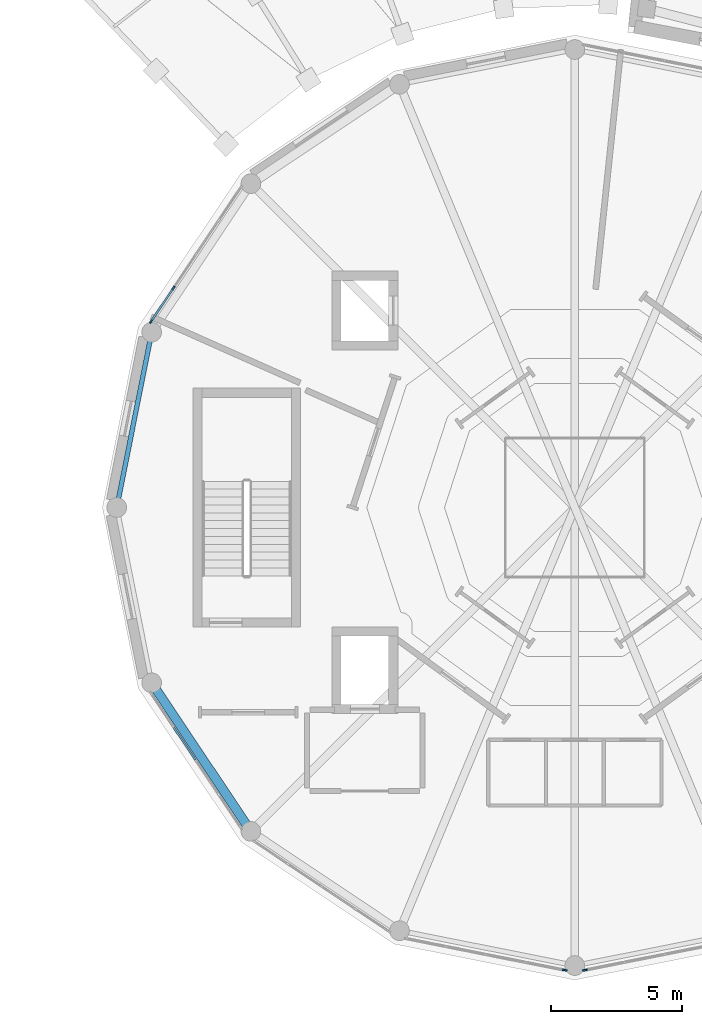
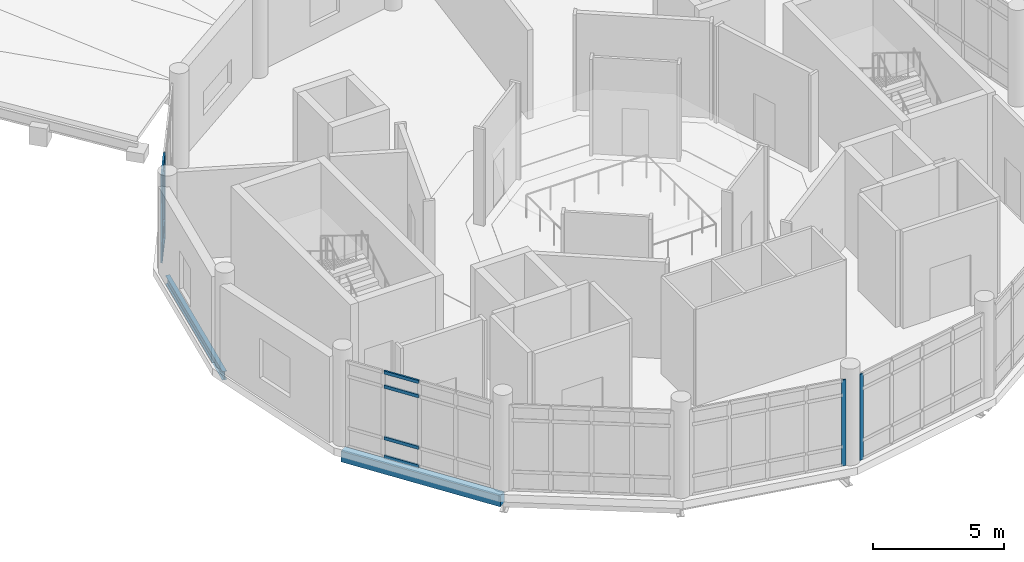
# One storey, part 6 of 27: 12 members, 2 beams, 4 elements without a shape of their own.
"""IFC4 building model written with IfcOpenShell, lengths in metres."""

from ifc_helpers import new_model, si_unit, direction, frame, origin, origin_2d, place, context, subcontext, project, spatial, rectangle, i_section, extrude, material, material_profile, profile_set, type_object, element, aggregate, save


model = new_model("IFC4")

# Units and contexts
model_context = context("Model", 3, precision=1e-05, world=origin(), true_north=direction((0.0, 1.0)))
body_context = subcontext(model_context, "Body", "Model", "MODEL_VIEW")
ifc_project = project(units=[si_unit("LENGTHUNIT", "METRE"), si_unit("AREAUNIT", "SQUARE_METRE"), si_unit("VOLUMEUNIT", "CUBIC_METRE"), si_unit("PLANEANGLEUNIT", "RADIAN"), si_unit("MASSUNIT", "GRAM", prefix="KILO")], contexts=[model_context])

# Site, building, storey
site_placement = place(None, origin())
site = spatial("IfcSite", under=ifc_project, at=site_placement, CompositionType="ELEMENT")
building_placement = place(site_placement, origin())
building = spatial("IfcBuilding", under=site, at=building_placement, Name="Soyqirgoq Riverine Aquarium", CompositionType="ELEMENT")
storey_placement = place(building_placement, frame((0.0, 0.0, 19.800048828125)))
storey = spatial("IfcBuildingStorey", under=building, at=storey_placement, Name="L05", CompositionType="ELEMENT", Elevation=19.800048828125)

# Curtain wall, members
ifc_material_1 = material(Name="Anodised aluminium thermally broken triple low-E glazing", Category="aluminium")
curtain_wall_type = type_object("IfcCurtainWallType", Name="CW_DrumGallery_Unitised", PredefinedType="NOTDEFINED", material=ifc_material_1)
curtain_wall_1_placement = place(storey_placement, origin())
curtain_wall_1 = element("IfcCurtainWall", 1, at=curtain_wall_1_placement, inside=storey, type_object=curtain_wall_type, Name="V1 L05 Curtain Wall 027", PredefinedType="NOTDEFINED")
ifc_material_2 = material(Name="Anodised aluminium 6063-T6", Category="aluminium")
ifc_material_profile_1 = material_profile(ifc_material_2, rectangle(XDim=0.06494140625, YDim=0.179931640625, at=origin_2d()), Name="ALU-M 65x180")
ifc_profile_set_1 = profile_set([ifc_material_profile_1], Name="Anodised aluminium 6063-T6")
member_type_1 = type_object("IfcMemberType", Name="CWMullion_65x180", PredefinedType="MULLION", material=ifc_profile_set_1)
member_1_placement = place(storey_placement, frame((40.7060546875, 65.35791015625, 0.0), z_axis=(0.0, 0.0, 1.0), x_axis=(0.831475717779, -0.55556109542, 0.0)))
member_1 = element("IfcMember", 2, at=member_1_placement, type_object=member_type_1, Name="CW-01 mullion 4", PredefinedType="MULLION", context=body_context, shape_type="SweptSolid", body=[
    extrude(rectangle(XDim=0.06494140625, YDim=0.179931640625, at=origin_2d()), origin(), (0.0, 0.0, 1.0), 4.0),
])
member_2_placement = place(storey_placement, frame((39.8642578125, 64.09814453125, 0.0), z_axis=(0.0, 0.0, 1.0), x_axis=(0.831475717779, -0.55556109542, 0.0)))
member_2 = element("IfcMember", 3, at=member_2_placement, type_object=member_type_1, Name="CW-01 mullion 5", PredefinedType="MULLION", context=body_context, shape_type="SweptSolid", body=[
    extrude(rectangle(XDim=0.06494140625, YDim=0.179931640625, at=origin_2d()), origin(), (0.0, 0.0, 1.0), 4.0),
])

# Curtain wall, member
curtain_wall_2_placement = place(storey_placement, origin())
curtain_wall_2 = element("IfcCurtainWall", 4, at=curtain_wall_2_placement, inside=storey, type_object=curtain_wall_type, Name="V1 L05 Curtain Wall 052", PredefinedType="NOTDEFINED")
member_3_placement = place(storey_placement, frame((55.616943359375, 39.376220703125, 0.0), z_axis=(0.0, 0.0, 1.0), x_axis=(0.19507834152, 0.980787663396, 0.0)))
member_3 = element("IfcMember", 5, at=member_3_placement, type_object=member_type_1, Name="CW-01 mullion 5", PredefinedType="MULLION", context=body_context, shape_type="SweptSolid", body=[
    extrude(rectangle(XDim=0.06494140625, YDim=0.179931640625, at=origin_2d()), origin(), (0.0, 0.0, 1.0), 4.0),
])
aggregate(curtain_wall_2, [member_3])

curtain_wall_3_placement = place(storey_placement, origin())
curtain_wall_3 = element("IfcCurtainWall", 6, at=curtain_wall_3_placement, inside=storey, type_object=curtain_wall_type, Name="V1 L05 Curtain Wall 059", PredefinedType="NOTDEFINED")
member_4_placement = place(storey_placement, frame((56.383056640625, 39.376220703125, 0.0), z_axis=(0.0, 0.0, 1.0), x_axis=(-0.19507834152, 0.980787663396, 0.0)))
member_4 = element("IfcMember", 7, at=member_4_placement, type_object=member_type_1, Name="CW-01 mullion 1", PredefinedType="MULLION", context=body_context, shape_type="SweptSolid", body=[
    extrude(rectangle(XDim=0.06494140625, YDim=0.179931640625, at=origin_2d()), origin(), (0.0, 0.0, 1.0), 4.0),
])
aggregate(curtain_wall_3, [member_4])

# Member
ifc_material_3 = material(Name="Anodised aluminium 6063-T6", Category="aluminium")
ifc_material_profile_2 = material_profile(ifc_material_3, rectangle(XDim=0.074951171875, YDim=0.14990234375, at=origin_2d()), Name="ALU-T 75x150")
ifc_profile_set_2 = profile_set([ifc_material_profile_2], Name="Anodised aluminium 6063-T6")
member_type_2 = type_object("IfcMemberType", Name="CWTransom_75x150", PredefinedType="USERDEFINED", material=ifc_profile_set_2)
member_5_placement = place(storey_placement, frame((40.68798828125, 65.330810546875, 0.037353515625), z_axis=(-0.555632377709, -0.831428085189, 0.0), x_axis=(0.831428085189, -0.555632377709, 0.0)))
member_5 = element("IfcMember", 8, at=member_5_placement, type_object=member_type_2, Name="CW-01 transom 4.1", ObjectType="TRANSOM", PredefinedType="USERDEFINED", context=body_context, shape_type="SweptSolid", body=[
    extrude(rectangle(XDim=0.074951171875, YDim=0.14990234375, at=origin_2d()), origin(), (0.0, 0.0, 1.0), 1.449951171875),
])

member_6_placement = place(storey_placement, frame((40.68798828125, 65.330810546875, 0.89990234375), z_axis=(-0.555632377709, -0.831428085189, 0.0), x_axis=(0.831428085189, -0.555632377709, 0.0)))
member_6 = element("IfcMember", 9, at=member_6_placement, type_object=member_type_2, Name="CW-01 transom 4.2", ObjectType="TRANSOM", PredefinedType="USERDEFINED", context=body_context, shape_type="SweptSolid", body=[
    extrude(rectangle(XDim=0.074951171875, YDim=0.14990234375, at=origin_2d()), origin(), (0.0, 0.0, 1.0), 1.449951171875),
])

member_7_placement = place(storey_placement, frame((40.68798828125, 65.330810546875, 3.300048828125), z_axis=(-0.555632377709, -0.831428085189, 0.0), x_axis=(0.831428085189, -0.555632377709, 0.0)))
member_7 = element("IfcMember", 10, at=member_7_placement, type_object=member_type_2, Name="CW-01 transom 4.3", ObjectType="TRANSOM", PredefinedType="USERDEFINED", context=body_context, shape_type="SweptSolid", body=[
    extrude(rectangle(XDim=0.074951171875, YDim=0.14990234375, at=origin_2d()), origin(), (0.0, 0.0, 1.0), 1.449951171875),
])

member_8_placement = place(storey_placement, frame((40.68798828125, 65.330810546875, 3.96240234375), z_axis=(-0.555632377709, -0.831428085189, 0.0), x_axis=(0.831428085189, -0.555632377709, 0.0)))
member_8 = element("IfcMember", 11, at=member_8_placement, type_object=member_type_2, Name="CW-01 transom 4.4", ObjectType="TRANSOM", PredefinedType="USERDEFINED", context=body_context, shape_type="SweptSolid", body=[
    extrude(rectangle(XDim=0.074951171875, YDim=0.14990234375, at=origin_2d()), origin(), (0.0, 0.0, 1.0), 1.449951171875),
])

aggregate(curtain_wall_1, [member_1, member_2, member_5, member_6, member_7, member_8])

# Curtain wall, members
curtain_wall_4_placement = place(storey_placement, origin())
curtain_wall_4 = element("IfcCurtainWall", 12, at=curtain_wall_4_placement, inside=storey, type_object=curtain_wall_type, Name="V1 L05 Curtain Wall 038", PredefinedType="NOTDEFINED")
member_9_placement = place(storey_placement, frame((40.72412109375, 48.614990234375, 0.037353515625), z_axis=(0.555498052223, -0.831517837437, 0.0), x_axis=(0.831517837437, 0.555498052223, 0.0)))
member_9 = element("IfcMember", 13, at=member_9_placement, type_object=member_type_2, Name="CW-01 transom 2.1", ObjectType="TRANSOM", PredefinedType="USERDEFINED", context=body_context, shape_type="SweptSolid", body=[
    extrude(rectangle(XDim=0.074951171875, YDim=0.14990234375, at=origin_2d()), origin(), (0.0, 0.0, 1.0), 1.482421875),
])
member_10_placement = place(storey_placement, frame((40.72412109375, 48.614990234375, 0.89990234375), z_axis=(0.555498052223, -0.831517837437, 0.0), x_axis=(0.831517837437, 0.555498052223, 0.0)))
member_10 = element("IfcMember", 14, at=member_10_placement, type_object=member_type_2, Name="CW-01 transom 2.2", ObjectType="TRANSOM", PredefinedType="USERDEFINED", context=body_context, shape_type="SweptSolid", body=[
    extrude(rectangle(XDim=0.074951171875, YDim=0.14990234375, at=origin_2d()), origin(), (0.0, 0.0, 1.0), 1.482421875),
])
member_11_placement = place(storey_placement, frame((40.72412109375, 48.614990234375, 3.300048828125), z_axis=(0.555498052223, -0.831517837437, 0.0), x_axis=(0.831517837437, 0.555498052223, 0.0)))
member_11 = element("IfcMember", 15, at=member_11_placement, type_object=member_type_2, Name="CW-01 transom 2.3", ObjectType="TRANSOM", PredefinedType="USERDEFINED", context=body_context, shape_type="SweptSolid", body=[
    extrude(rectangle(XDim=0.074951171875, YDim=0.14990234375, at=origin_2d()), origin(), (0.0, 0.0, 1.0), 1.482421875),
])
member_12_placement = place(storey_placement, frame((40.72412109375, 48.614990234375, 3.96240234375), z_axis=(0.555498052223, -0.831517837437, 0.0), x_axis=(0.831517837437, 0.555498052223, 0.0)))
member_12 = element("IfcMember", 16, at=member_12_placement, type_object=member_type_2, Name="CW-01 transom 2.4", ObjectType="TRANSOM", PredefinedType="USERDEFINED", context=body_context, shape_type="SweptSolid", body=[
    extrude(rectangle(XDim=0.074951171875, YDim=0.14990234375, at=origin_2d()), origin(), (0.0, 0.0, 1.0), 1.482421875),
])
aggregate(curtain_wall_4, [member_9, member_10, member_11, member_12])

# Beams
ifc_material_4 = material(Name="Concrete C40/50", Category="concrete")
ifc_material_profile_3 = material_profile(ifc_material_4, rectangle(XDim=0.35009765625, YDim=0.5, at=origin_2d()), Name="RC 350x500")
ifc_profile_set_3 = profile_set([ifc_material_profile_3], Name="Concrete C40/50")
beam_type_1 = type_object("IfcBeamType", Name="Spandrel_RC_350x500", PredefinedType="SPANDREL", material=ifc_profile_set_3)
beam_1_placement = place(storey_placement, frame((39.889404296875, 50.3056640625, -0.60009765625), z_axis=(0.555557213186, -0.83147831173, 0.0), x_axis=(0.83147831173, 0.555557213186, 0.0)))
element("IfcBeam", 17, at=beam_1_placement, inside=storey, type_object=beam_type_1, Name="V1 L05 Drum Spandrel Beam 0131", PredefinedType="SPANDREL", context=body_context, shape_type="SweptSolid", body=[
    extrude(rectangle(XDim=0.35009765625, YDim=0.5, at=origin_2d()), origin(), (0.0, 0.0, 1.0), 6.768798828125),
])
ifc_material_5 = material(Name="Structural steel S355", Category="steel")
ifc_material_profile_4 = material_profile(ifc_material_5, i_section(OverallWidth=0.179931640625, OverallDepth=0.39990234375, WebThickness=0.008544921875, FlangeThickness=0.013427734375, FilletRadius=0.02099609375, at=origin_2d()), Name="IPE 400")
ifc_profile_set_4 = profile_set([ifc_material_profile_4], Name="Structural steel S355")
beam_type_2 = type_object("IfcBeamType", Name="Spandrel_Steel_IPE400", PredefinedType="SPANDREL", material=ifc_profile_set_4)
beam_2_placement = place(storey_placement, frame((39.87451171875, 63.658203125, -0.550048828125), z_axis=(-0.195096390568, -0.980784073274, 0.0), x_axis=(0.980784073274, -0.195096390568, 0.0)))
element("IfcBeam", 18, at=beam_2_placement, inside=storey, type_object=beam_type_2, Name="V1 L05 Drum Spandrel Beam 0129", PredefinedType="SPANDREL", context=body_context, shape_type="SweptSolid", body=[
    extrude(i_section(OverallWidth=0.179931640625, OverallDepth=0.39990234375, WebThickness=0.008544921875, FlangeThickness=0.013427734375, FilletRadius=0.02099609375, at=origin_2d()), origin(), (0.0, 0.0, 1.0), 6.768798828125),
])

save(model, "model.ifc")
